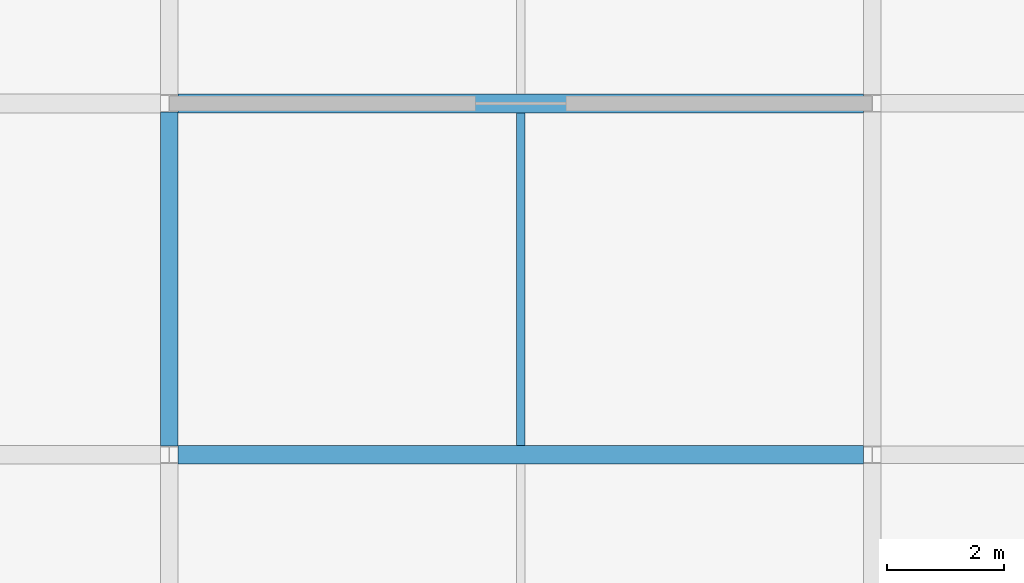
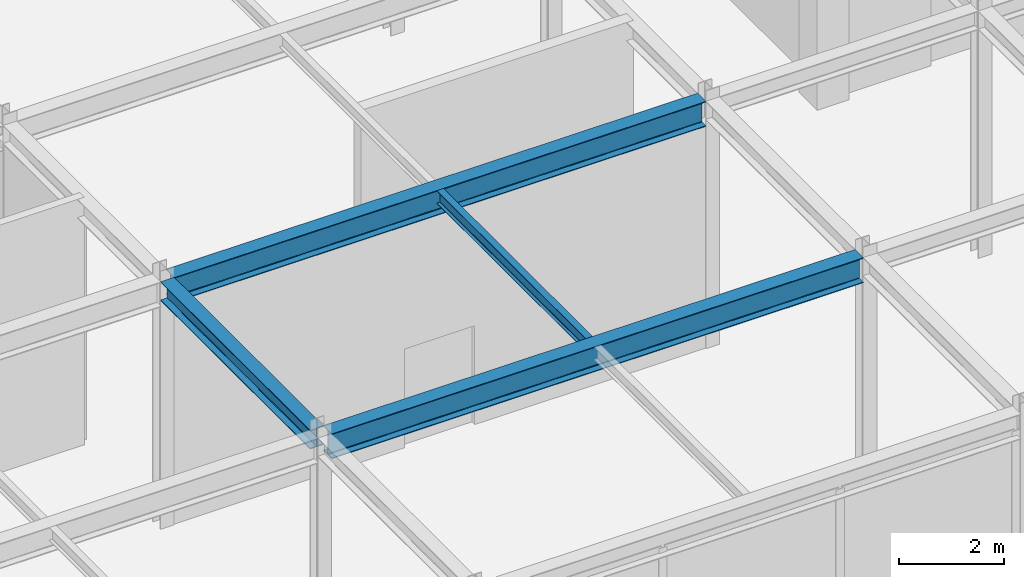
# One storey, part 90 of 108: 4 beams.
"""IFC4 building model written with IfcOpenShell, lengths in metres."""

from ifc_helpers import new_model, si_unit, direction, frame, origin, origin_2d, place, context, subcontext, project, spatial, i_section, extrude, material, material_profile, profile_set, type_object, element, save


model = new_model("IFC4")

# Units and contexts
model_context = context("Model", 3, precision=1e-05, world=origin(), true_north=direction((0.0, 1.0)))
body_context = subcontext(model_context, "Body", "Model", "MODEL_VIEW")
ifc_project = project(units=[si_unit("LENGTHUNIT", "METRE"), si_unit("AREAUNIT", "SQUARE_METRE"), si_unit("VOLUMEUNIT", "CUBIC_METRE"), si_unit("PLANEANGLEUNIT", "RADIAN"), si_unit("MASSUNIT", "GRAM", prefix="KILO")], contexts=[model_context])

# Site, building, storey
site_placement = place(None, origin())
site = spatial("IfcSite", under=ifc_project, at=site_placement, CompositionType="ELEMENT")
building_placement = place(site_placement, origin())
building = spatial("IfcBuilding", under=site, at=building_placement, Name="Zlatovratsky Civic Hall", CompositionType="ELEMENT")
storey_placement = place(building_placement, frame((0.0, 0.0, 6.0)))
storey = spatial("IfcBuildingStorey", under=building, at=storey_placement, Name="L02", CompositionType="ELEMENT", Elevation=6.0)

# Beams
ifc_material = material(Name="Steel S355", Category="steel")
ifc_material_profile_1 = material_profile(ifc_material, i_section(OverallWidth=0.320068359375, OverallDepth=0.58203125, WebThickness=0.011962890625, FlangeThickness=0.01708984375, FilletRadius=0.02392578125, at=origin_2d()), Name="60Sh1")
ifc_profile_set_1 = profile_set([ifc_material_profile_1], Name="Steel S355")
beam_type_1 = type_object("IfcBeamType", Name="Beam_PodiumGirder_60Sh1", PredefinedType="BEAM", material=ifc_profile_set_1)
for number, where, z_axis, x_axis, name in (
    (1, (132.14990234375, 72.0, 5.468994140625), (1.0, 0.0, 0.0), (0.0, 1.0, 0.0), "BM-1903"),
    (2, (132.14990234375, 78.0, 5.468994140625), (1.0, 0.0, 0.0), (0.0, 1.0, 0.0), "BM-1925"),
):
    element("IfcBeam", number, at=place(storey_placement, frame(where, z_axis=z_axis, x_axis=x_axis)), inside=storey, type_object=beam_type_1, Name=name, PredefinedType="BEAM", context=body_context, shape_type="SweptSolid", body=[
        extrude(i_section(OverallWidth=0.320068359375, OverallDepth=0.58203125, WebThickness=0.011962890625, FlangeThickness=0.01708984375, FilletRadius=0.02392578125, at=origin_2d()), origin(), (0.0, 0.0, 1.0), 11.7001953125),
    ])
ifc_material_profile_2 = material_profile(ifc_material, i_section(OverallWidth=0.300048828125, OverallDepth=0.43994140625, WebThickness=0.010986328125, FlangeThickness=0.01806640625, FilletRadius=0.02197265625, at=origin_2d()), Name="45Sh1")
ifc_profile_set_2 = profile_set([ifc_material_profile_2], Name="Steel S355")
beam_type_2 = type_object("IfcBeamType", Name="Beam_TowerLow_45Sh1", PredefinedType="BEAM", material=ifc_profile_set_2)
beam_1_placement = place(storey_placement, frame((132.0, 72.14990234375, 5.5400390625), z_axis=(0.0, 1.0, 0.0), x_axis=(-1.0, 0.0, 0.0)))
element("IfcBeam", 3, at=beam_1_placement, inside=storey, type_object=beam_type_2, Name="BM-2320", PredefinedType="BEAM", context=body_context, shape_type="SweptSolid", body=[
    extrude(i_section(OverallWidth=0.300048828125, OverallDepth=0.43994140625, WebThickness=0.010986328125, FlangeThickness=0.01806640625, FilletRadius=0.02197265625, at=origin_2d()), origin(), (0.0, 0.0, 1.0), 5.7001953125),
])
ifc_material_profile_3 = material_profile(ifc_material, i_section(OverallWidth=0.14990234375, OverallDepth=0.300048828125, WebThickness=0.006591796875, FlangeThickness=0.009033203125, FilletRadius=0.012939453125, at=origin_2d()), Name="30B2")
ifc_profile_set_3 = profile_set([ifc_material_profile_3], Name="Steel S355")
beam_type_3 = type_object("IfcBeamType", Name="Joist_Podium_30B2", PredefinedType="JOIST", material=ifc_profile_set_3)
beam_2_placement = place(storey_placement, frame((138.0, 72.159912109375, 5.610107421875), z_axis=(0.0, 1.0, 0.0), x_axis=(-1.0, 0.0, 0.0)))
element("IfcBeam", 4, at=beam_2_placement, inside=storey, type_object=beam_type_3, Name="BM-2429", PredefinedType="JOIST", context=body_context, shape_type="SweptSolid", body=[
    extrude(i_section(OverallWidth=0.14990234375, OverallDepth=0.300048828125, WebThickness=0.006591796875, FlangeThickness=0.009033203125, FilletRadius=0.012939453125, at=origin_2d()), origin(), (0.0, 0.0, 1.0), 5.68017578125),
])

save(model, "model.ifc")
